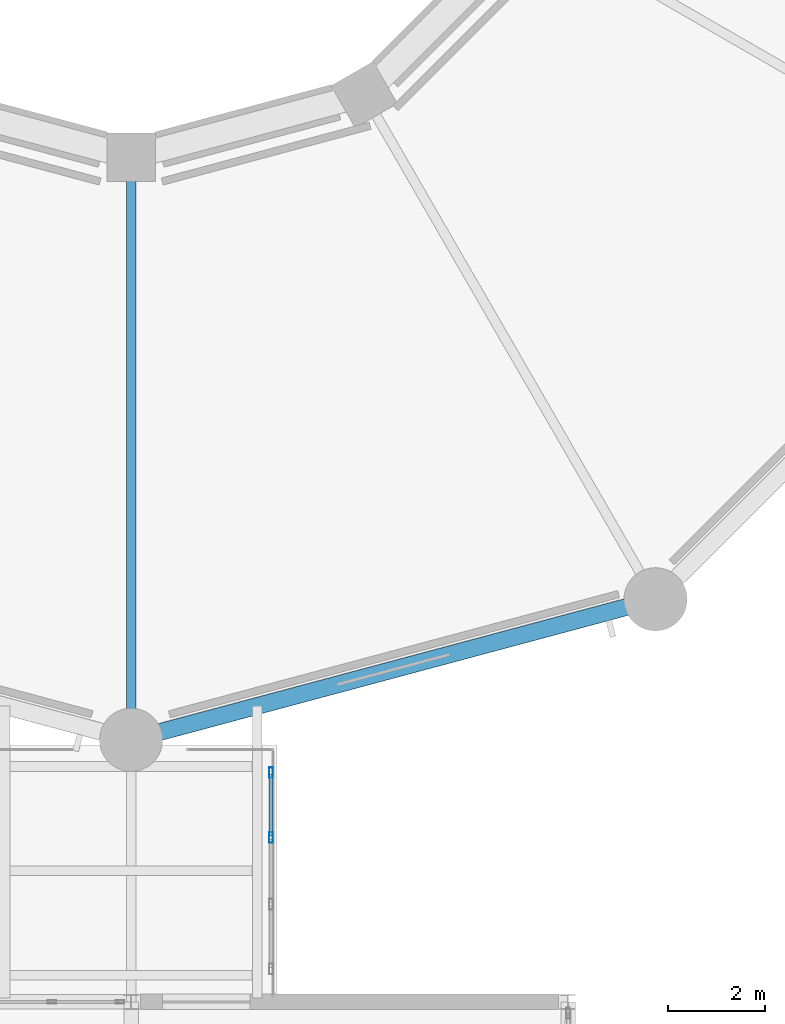
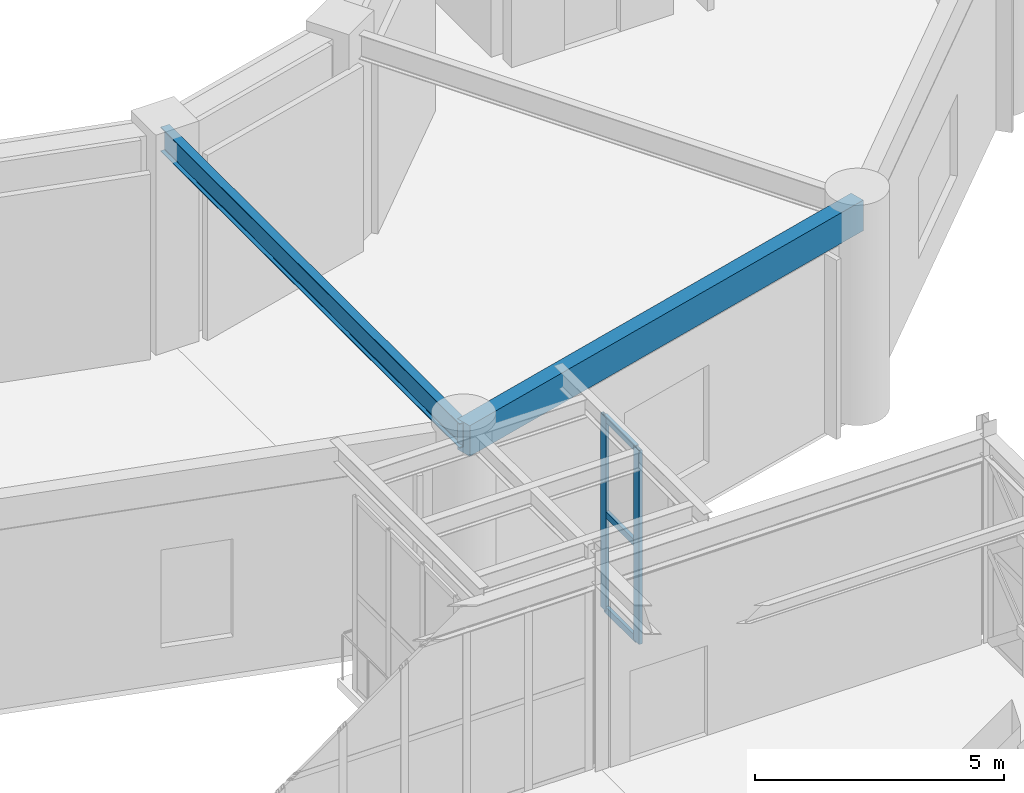
# One storey, part 54 of 155: 5 members, 2 beams, 1 element without a shape of its own.
"""IFC4 building model written with IfcOpenShell, lengths in metres."""

from ifc_helpers import new_model, si_unit, direction, frame, origin, origin_2d, place, context, subcontext, project, spatial, rectangle, hollow_rectangle, i_section, extrude, material, material_profile, profile_set, type_object, element, aggregate, save


model = new_model("IFC4")

# Units and contexts
model_context = context("Model", 3, precision=1e-05, world=origin(), true_north=direction((0.0, 1.0)))
body_context = subcontext(model_context, "Body", "Model", "MODEL_VIEW")
ifc_project = project(units=[si_unit("LENGTHUNIT", "METRE"), si_unit("AREAUNIT", "SQUARE_METRE"), si_unit("VOLUMEUNIT", "CUBIC_METRE"), si_unit("PLANEANGLEUNIT", "RADIAN"), si_unit("MASSUNIT", "GRAM", prefix="KILO")], contexts=[model_context])

# Site, building, storey
site_placement = place(None, origin())
site = spatial("IfcSite", under=ifc_project, at=site_placement, CompositionType="ELEMENT")
building_placement = place(site_placement, origin())
building = spatial("IfcBuilding", under=site, at=building_placement, Name="Haizhuo Lancet Aquarium", CompositionType="ELEMENT")
storey_placement = place(building_placement, frame((0.0, 0.0, 10.800048828125)))
storey = spatial("IfcBuildingStorey", under=building, at=storey_placement, Name="L02", CompositionType="ELEMENT", Elevation=10.800048828125)

# Beam
ifc_material_1 = material(Name="Steel S355", Category="steel")
ifc_material_profile_1 = material_profile(ifc_material_1, i_section(OverallWidth=0.199951171875, OverallDepth=0.60009765625, WebThickness=0.010986328125, FlangeThickness=0.01708984375, FilletRadius=0.02197265625, at=origin_2d()), Name="HN 600x200x11x17")
ifc_profile_set_1 = profile_set([ifc_material_profile_1], Name="Steel S355")
beam_type_1 = type_object("IfcBeamType", Name="BM-ST-HN600", PredefinedType="BEAM", material=ifc_profile_set_1)
beam_1_placement = place(storey_placement, frame((0.0, -9.60009765625, 4.85986328125), z_axis=(0.0, -1.0, 0.0), x_axis=(1.0, 0.0, 0.0)))
element("IfcBeam", 1, at=beam_1_placement, inside=storey, type_object=beam_type_1, Name="L02 radial gallery girder 10", PredefinedType="BEAM", context=body_context, shape_type="SweptSolid", body=[
    extrude(i_section(OverallWidth=0.199951171875, OverallDepth=0.60009765625, WebThickness=0.010986328125, FlangeThickness=0.01708984375, FilletRadius=0.02197265625, at=origin_2d()), origin(), (0.0, 0.0, 1.0), 12.0),
])

# Curtain wall, members
ifc_material_2 = material(Name="Aluminium 6063-T6", Category="aluminium")
curtain_wall_type = type_object("IfcCurtainWallType", Name="CWO-4120x4750", PredefinedType="NOTDEFINED", material=ifc_material_2)
curtain_wall_placement = place(storey_placement, origin())
curtain_wall = element("IfcCurtainWall", 2, at=curtain_wall_placement, inside=storey, type_object=curtain_wall_type, Name="L02 curtain wall CW-SB-04-E1", PredefinedType="NOTDEFINED")
ifc_material_profile_2 = material_profile(ifc_material_2, hollow_rectangle(XDim=0.074951171875, YDim=0.219970703125, WallThickness=0.0048828125, at=origin_2d()), Name="ALU-M 75x220x5")
ifc_profile_set_2 = profile_set([ifc_material_profile_2], Name="Aluminium 6063-T6")
member_type_1 = type_object("IfcMemberType", Name="CW-MUL-2", PredefinedType="MULLION", material=ifc_profile_set_2)
member_1_placement = place(storey_placement, frame((2.8798828125, -22.277099609375, 0.0), z_axis=(0.0, 0.0, 1.0), x_axis=(1.0, 0.0, 0.0)))
member_1 = element("IfcMember", 3, at=member_1_placement, type_object=member_type_1, Name="CWO-41x47 mullion 1", PredefinedType="MULLION", context=body_context, shape_type="SweptSolid", body=[
    extrude(hollow_rectangle(XDim=0.074951171875, YDim=0.219970703125, WallThickness=0.0048828125, at=origin_2d()), origin(), (0.0, 0.0, 1.0), 4.75),
])
member_2_placement = place(storey_placement, frame((2.8798828125, -23.613037109375, 0.0), z_axis=(0.0, 0.0, 1.0), x_axis=(1.0, 0.0, 0.0)))
member_2 = element("IfcMember", 4, at=member_2_placement, type_object=member_type_1, Name="CWO-41x47 mullion 2", PredefinedType="MULLION", context=body_context, shape_type="SweptSolid", body=[
    extrude(hollow_rectangle(XDim=0.074951171875, YDim=0.219970703125, WallThickness=0.0048828125, at=origin_2d()), origin(), (0.0, 0.0, 1.0), 4.75),
])
ifc_material_profile_3 = material_profile(ifc_material_2, hollow_rectangle(XDim=0.074951171875, YDim=0.159912109375, WallThickness=0.00390625, at=origin_2d()), Name="ALU-T 75x160x4")
ifc_profile_set_3 = profile_set([ifc_material_profile_3], Name="Aluminium 6063-T6")
member_type_2 = type_object("IfcMemberType", Name="CW-TRN-2", PredefinedType="NOTDEFINED", material=ifc_profile_set_3)
member_3_placement = place(storey_placement, frame((2.8798828125, -22.31494140625, 0.037841796875), z_axis=(0.0, -1.0, 0.0), x_axis=(1.0, 0.0, 0.0)))
member_3 = element("IfcMember", 5, at=member_3_placement, type_object=member_type_2, Name="CWO-41x47 transom 1.1", ObjectType="TRANSOM", PredefinedType="USERDEFINED", context=body_context, shape_type="SweptSolid", body=[
    extrude(hollow_rectangle(XDim=0.074951171875, YDim=0.159912109375, WallThickness=0.00390625, at=origin_2d()), origin(), (0.0, 0.0, 1.0), 1.260986328125),
])
member_4_placement = place(storey_placement, frame((2.8798828125, -22.31494140625, 2.375), z_axis=(0.0, -1.0, 0.0), x_axis=(1.0, 0.0, 0.0)))
member_4 = element("IfcMember", 6, at=member_4_placement, type_object=member_type_2, Name="CWO-41x47 transom 1.2", ObjectType="TRANSOM", PredefinedType="USERDEFINED", context=body_context, shape_type="SweptSolid", body=[
    extrude(hollow_rectangle(XDim=0.074951171875, YDim=0.159912109375, WallThickness=0.00390625, at=origin_2d()), origin(), (0.0, 0.0, 1.0), 1.260986328125),
])
member_5_placement = place(storey_placement, frame((2.8798828125, -22.31494140625, 4.712890625), z_axis=(0.0, -1.0, 0.0), x_axis=(1.0, 0.0, 0.0)))
member_5 = element("IfcMember", 7, at=member_5_placement, type_object=member_type_2, Name="CWO-41x47 transom 1.3", ObjectType="TRANSOM", PredefinedType="USERDEFINED", context=body_context, shape_type="SweptSolid", body=[
    extrude(hollow_rectangle(XDim=0.074951171875, YDim=0.159912109375, WallThickness=0.00390625, at=origin_2d()), origin(), (0.0, 0.0, 1.0), 1.260986328125),
])
aggregate(curtain_wall, [member_1, member_2, member_3, member_4, member_5])

# Beam
ifc_material_3 = material(Name="Concrete C40/50", Category="concrete")
ifc_material_profile_4 = material_profile(ifc_material_3, rectangle(XDim=0.35009765625, YDim=0.75, at=origin_2d()), Name="RC-SP 350x750")
ifc_profile_set_4 = profile_set([ifc_material_profile_4], Name="Concrete C40/50")
beam_type_2 = type_object("IfcBeamType", Name="SPN-RC-350x750", PredefinedType="SPANDREL", material=ifc_profile_set_4)
beam_2_placement = place(storey_placement, frame((0.0, -21.60009765625, 4.784912109375), z_axis=(0.965921832664, 0.258833949056, 0.0), x_axis=(-0.258833949056, 0.965921832664, 0.0)))
element("IfcBeam", 8, at=beam_2_placement, inside=storey, type_object=beam_type_2, Name="L02 drum perimeter spandrel 10", PredefinedType="SPANDREL", context=body_context, shape_type="SweptSolid", body=[
    extrude(rectangle(XDim=0.35009765625, YDim=0.75, at=origin_2d()), origin(), (0.0, 0.0, 1.0), 11.18115234375),
])

save(model, "model.ifc")
